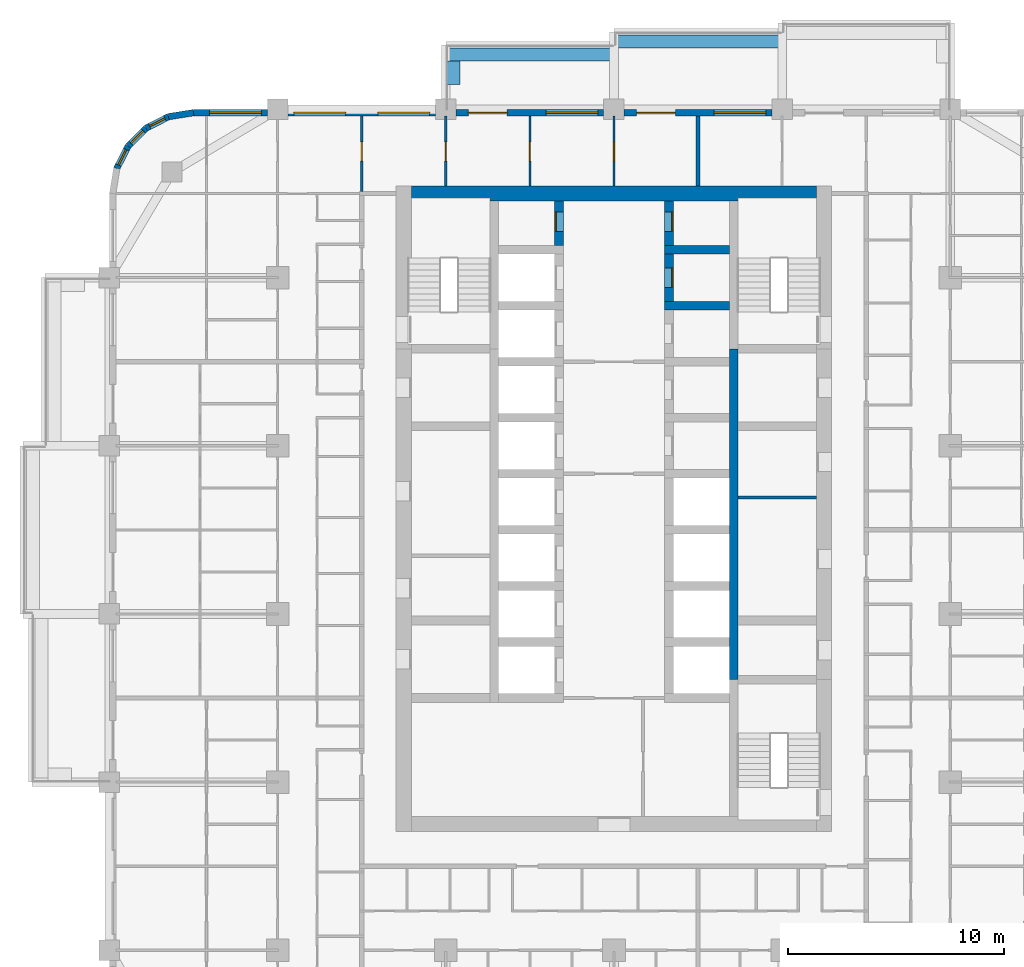
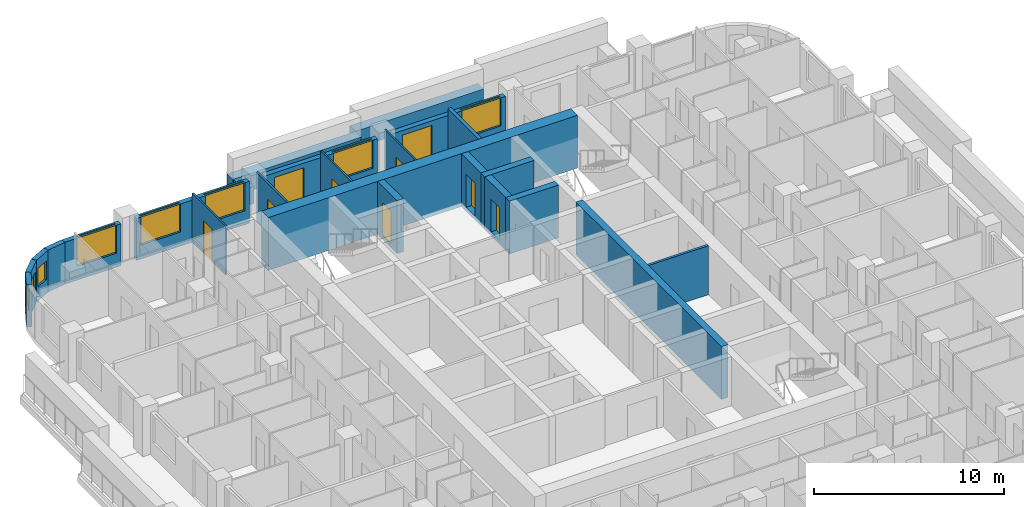
# One storey, part 11 of 17: 24 walls, 9 doors, 8 windows, 17 openings.
"""IFC4 building model written with IfcOpenShell, lengths in metres."""

from ifc_helpers import new_model, si_unit, direction, frame, frame_2d, origin, place, context, subcontext, project, spatial, rectangle, extrude, material, layer, layer_set, type_object, element, fill, save


model = new_model("IFC4")

# Units and contexts
model_context = context("Model", 3, precision=1e-05, world=origin(), true_north=direction((0.0, 1.0)))
body_context = subcontext(model_context, "Body", "Model", "MODEL_VIEW")
ifc_project = project(units=[si_unit("LENGTHUNIT", "METRE"), si_unit("AREAUNIT", "SQUARE_METRE"), si_unit("VOLUMEUNIT", "CUBIC_METRE"), si_unit("PLANEANGLEUNIT", "RADIAN"), si_unit("MASSUNIT", "GRAM", prefix="KILO")], contexts=[model_context])

# Site, building, storey
site_placement = place(None, origin())
site = spatial("IfcSite", under=ifc_project, at=site_placement, CompositionType="ELEMENT")
building_placement = place(site_placement, origin())
building = spatial("IfcBuilding", under=site, at=building_placement, Name="Ludao Terraces", CompositionType="ELEMENT")
storey_placement = place(building_placement, frame((0.0, 0.0, 88.60009765625)))
storey = spatial("IfcBuildingStorey", under=building, at=storey_placement, Name="L24", CompositionType="ELEMENT", Elevation=88.60009765625)

# Walls
ifc_material_1 = material(Name="Concrete C70", Category="concrete")
ifc_layer_1 = layer(ifc_material_1, 0.699951171875)
ifc_layer_set_1 = layer_set([ifc_layer_1], Name="Core wall 700 C70")
wall_type_1 = type_object("IfcWallType", Name="Core wall 700 C70", PredefinedType="SOLIDWALL", material=ifc_layer_set_1)
wall_1_placement = place(storey_placement, frame((75.60009765625, 84.5, -0.25), z_axis=(0.0, 0.0, 1.0), x_axis=(1.0, 0.0, 0.0)))
element("IfcWall", 1, at=wall_1_placement, inside=storey, type_object=wall_type_1, Name="Core wall L24 outer-N", PredefinedType="SOLIDWALL", context=body_context, shape_type="SweptSolid", body=[
    extrude(rectangle(XDim=18.7998046875, YDim=0.699951171875, at=frame_2d((9.39990234375, 0.0))), origin(), (0.0, 0.0, 1.0), 3.39990234375),
])
ifc_material_2 = material(Name="Concrete C40", Category="concrete")
ifc_layer_2 = layer(ifc_material_2, 0.60009765625)
ifc_layer_set_2 = layer_set([ifc_layer_2], Name="ENV Planter trough 600")
wall_type_2 = type_object("IfcWallType", Name="ENV Planter trough 600", PredefinedType="USERDEFINED", material=ifc_layer_set_2)
wall_2_placement = place(storey_placement, frame((77.199951171875, 90.949951171875, 0.0), z_axis=(0.0, 0.0, 1.0), x_axis=(1.0, 0.0, 0.0)))
element("IfcWall", 2, at=wall_2_placement, inside=storey, type_object=wall_type_2, Name="PL-L24-N2", ObjectType="PLANTER", PredefinedType="USERDEFINED", context=body_context, shape_type="SweptSolid", body=[
    extrude(rectangle(XDim=7.800048828125, YDim=0.60009765625, at=frame_2d((3.89990234375, 0.0))), origin(), (0.0, 0.0, 1.0), 1.099853515625),
])
wall_3_placement = place(storey_placement, frame((77.550048828125, 90.64990234375, 0.0), z_axis=(0.0, 0.0, 1.0), x_axis=(0.0, -1.0, 0.0)))
element("IfcWall", 3, at=wall_3_placement, inside=storey, type_object=wall_type_2, Name="PL-L24-N2-SA", ObjectType="PLANTER", PredefinedType="USERDEFINED", context=body_context, shape_type="SweptSolid", body=[
    extrude(rectangle(XDim=1.099853515625, YDim=0.60009765625, at=frame_2d((0.5498046875, 0.0))), origin(), (0.0, 0.0, 1.0), 1.099853515625),
])
wall_4_placement = place(storey_placement, frame((85.0, 91.550048828125, 0.0), z_axis=(0.0, 0.0, 1.0), x_axis=(1.0, 0.0, 0.0)))
element("IfcWall", 4, at=wall_4_placement, inside=storey, type_object=wall_type_2, Name="PL-L24-N3", ObjectType="PLANTER", PredefinedType="USERDEFINED", context=body_context, shape_type="SweptSolid", body=[
    extrude(rectangle(XDim=7.800048828125, YDim=0.60009765625, at=frame_2d((3.89990234375, 0.0))), origin(), (0.0, 0.0, 1.0), 1.099853515625),
])

# Wall, opening, window
ifc_material_3 = material(Name="Granite cladding", Category="masonry")
ifc_layer_3 = layer(ifc_material_3, 0.0400390625, Category="stone")
ifc_material_4 = material(Name="Mineral wool")
ifc_layer_4 = layer(ifc_material_4, 0.06005859375)
ifc_layer_5 = layer(ifc_material_2, 0.199951171875, Category="concrete")
ifc_layer_set_3 = layer_set([ifc_layer_3, ifc_layer_4, ifc_layer_5], Name="ENV Stone-clad wall 300")
wall_type_3 = type_object("IfcWallType", Name="ENV Stone-clad wall 300", PredefinedType="SOLIDWALL", material=ifc_layer_set_3)
wall_5_placement = place(storey_placement, frame((65.5, 88.25, 0.0), z_axis=(0.0, 0.0, 1.0), x_axis=(1.0, 0.0, 0.0)))
wall_5 = element("IfcWall", 5, at=wall_5_placement, inside=storey, type_object=wall_type_3, Name="EW-L24-N1", PredefinedType="SOLIDWALL", context=body_context, shape_type="SweptSolid", body=[
    extrude(rectangle(XDim=3.425048828125, YDim=0.300048828125, at=frame_2d((1.71240234375, 0.0))), origin(), (0.0, 0.0, 1.0), 2.699951171875),
])
opening_1_placement = place(wall_5_placement, frame((0.75, 0.0, 0.89990234375)))
opening_1 = element("IfcOpeningElement", 6, at=opening_1_placement, cuts=wall_5, Name="Opening W1", PredefinedType="OPENING", context=body_context, shape_type="SweptSolid", body=[
    extrude(rectangle(XDim=2.39990234375, YDim=1.800048828125, at=frame_2d((1.199951171875, 0.89990234375))), frame((0.0, 0.16015625, 0.0), z_axis=(0.0, -1.0, 0.0), x_axis=(1.0, 0.0, 0.0)), (0.0, 0.0, 1.0), 0.320068359375),
])
ifc_material_5 = material(Name="Clear glass in aluminium frame", Category="aluminium")
ifc_layer_6 = layer(ifc_material_5, 0.06005859375)
ifc_layer_set_4 = layer_set([ifc_layer_6], Name="ENV Window W1 2400x1800")
window_type_1 = type_object("IfcWindowType", Name="ENV Window W1 2400x1800", PartitioningType="DOUBLE_PANEL_VERTICAL", PredefinedType="WINDOW", material=ifc_layer_set_4)
window_1_placement = place(opening_1_placement, origin())
window_1 = element("IfcWindow", 7, at=window_1_placement, inside=storey, type_object=window_type_1, Name="W-L24-N1-1", OverallHeight=1.800048828125, OverallWidth=2.39990234375, PartitioningType="DOUBLE_PANEL_VERTICAL", PredefinedType="WINDOW", context=body_context, shape_type="SweptSolid", body=[
    extrude(rectangle(XDim=2.39990234375, YDim=1.800048828125, at=frame_2d((1.199951171875, 0.89990234375))), frame((0.0, 0.030029296875, 0.0), z_axis=(0.0, -1.0, 0.0), x_axis=(1.0, 0.0, 0.0)), (0.0, 0.0, 1.0), 0.06005859375),
])
fill(opening_1, window_1)

# Wall, openings, windows
wall_6_placement = place(storey_placement, frame((69.875, 88.25, 0.0), z_axis=(0.0, 0.0, 1.0), x_axis=(1.0, 0.0, 0.0)))
wall_6 = element("IfcWall", 8, at=wall_6_placement, inside=storey, type_object=wall_type_3, Name="EW-L24-N2", PredefinedType="SOLIDWALL", context=body_context, shape_type="SweptSolid", body=[
    extrude(rectangle(XDim=6.85009765625, YDim=0.300048828125, at=frame_2d((3.425048828125, 0.0))), origin(), (0.0, 0.0, 1.0), 2.699951171875),
])
opening_2_placement = place(wall_6_placement, frame((0.27490234375, 0.0, 0.89990234375)))
opening_2 = element("IfcOpeningElement", 9, at=opening_2_placement, cuts=wall_6, Name="Opening W1", PredefinedType="OPENING", context=body_context, shape_type="SweptSolid", body=[
    extrude(rectangle(XDim=2.39990234375, YDim=1.800048828125, at=frame_2d((1.199951171875, 0.89990234375))), frame((0.0, 0.16015625, 0.0), z_axis=(0.0, -1.0, 0.0), x_axis=(1.0, 0.0, 0.0)), (0.0, 0.0, 1.0), 0.320068359375),
])
opening_3_placement = place(wall_6_placement, frame((4.175048828125, 0.0, 0.89990234375)))
opening_3 = element("IfcOpeningElement", 10, at=opening_3_placement, cuts=wall_6, Name="Opening W1", PredefinedType="OPENING", context=body_context, shape_type="SweptSolid", body=[
    extrude(rectangle(XDim=2.39990234375, YDim=1.800048828125, at=frame_2d((1.199951171875, 0.89990234375))), frame((0.0, 0.16015625, 0.0), z_axis=(0.0, -1.0, 0.0), x_axis=(1.0, 0.0, 0.0)), (0.0, 0.0, 1.0), 0.320068359375),
])
window_2_placement = place(opening_2_placement, origin())
window_2 = element("IfcWindow", 11, at=window_2_placement, inside=storey, type_object=window_type_1, Name="W-L24-N2-1", OverallHeight=1.800048828125, OverallWidth=2.39990234375, PartitioningType="DOUBLE_PANEL_VERTICAL", PredefinedType="WINDOW", context=body_context, shape_type="SweptSolid", body=[
    extrude(rectangle(XDim=2.39990234375, YDim=1.800048828125, at=frame_2d((1.199951171875, 0.89990234375))), frame((0.0, 0.030029296875, 0.0), z_axis=(0.0, -1.0, 0.0), x_axis=(1.0, 0.0, 0.0)), (0.0, 0.0, 1.0), 0.06005859375),
])
fill(opening_2, window_2)
window_3_placement = place(opening_3_placement, origin())
window_3 = element("IfcWindow", 12, at=window_3_placement, inside=storey, type_object=window_type_1, Name="W-L24-N2-2", OverallHeight=1.800048828125, OverallWidth=2.39990234375, PartitioningType="DOUBLE_PANEL_VERTICAL", PredefinedType="WINDOW", context=body_context, shape_type="SweptSolid", body=[
    extrude(rectangle(XDim=2.39990234375, YDim=1.800048828125, at=frame_2d((1.199951171875, 0.89990234375))), frame((0.0, 0.030029296875, 0.0), z_axis=(0.0, -1.0, 0.0), x_axis=(1.0, 0.0, 0.0)), (0.0, 0.0, 1.0), 0.06005859375),
])
fill(opening_3, window_3)

# Wall, openings, door, window
wall_7_placement = place(storey_placement, frame((77.675048828125, 88.25, 0.0), z_axis=(0.0, 0.0, 1.0), x_axis=(1.0, 0.0, 0.0)))
wall_7 = element("IfcWall", 13, at=wall_7_placement, inside=storey, type_object=wall_type_3, Name="EW-L24-N3", PredefinedType="SOLIDWALL", context=body_context, shape_type="SweptSolid", body=[
    extrude(rectangle(XDim=6.849853515625, YDim=0.300048828125, at=frame_2d((3.4248046875, 0.0))), origin(), (0.0, 0.0, 1.0), 2.699951171875),
])
opening_4_placement = place(wall_7_placement, frame((0.574951171875, 0.0, 0.0)))
opening_4 = element("IfcOpeningElement", 14, at=opening_4_placement, cuts=wall_7, Name="Opening BD", PredefinedType="OPENING", context=body_context, shape_type="SweptSolid", body=[
    extrude(rectangle(XDim=1.800048828125, YDim=2.39990234375, at=frame_2d((0.89990234375, 1.199951171875))), frame((0.0, 0.16015625, 0.0), z_axis=(0.0, -1.0, 0.0), x_axis=(1.0, 0.0, 0.0)), (0.0, 0.0, 1.0), 0.320068359375),
])
opening_5_placement = place(wall_7_placement, frame((4.175048828125, 0.0, 0.89990234375)))
opening_5 = element("IfcOpeningElement", 15, at=opening_5_placement, cuts=wall_7, Name="Opening W1", PredefinedType="OPENING", context=body_context, shape_type="SweptSolid", body=[
    extrude(rectangle(XDim=2.39990234375, YDim=1.800048828125, at=frame_2d((1.199951171875, 0.89990234375))), frame((0.0, 0.16015625, 0.0), z_axis=(0.0, -1.0, 0.0), x_axis=(1.0, 0.0, 0.0)), (0.0, 0.0, 1.0), 0.320068359375),
])
ifc_material_6 = material(Name="Aluminium glazed door", Category="aluminium")
ifc_layer_7 = layer(ifc_material_6, 0.06005859375)
ifc_layer_set_5 = layer_set([ifc_layer_7], Name="ENV Balcony door BD 1800x2400")
door_type_1 = type_object("IfcDoorType", Name="ENV Balcony door BD 1800x2400", OperationType="DOUBLE_DOOR_SINGLE_SWING", PredefinedType="DOOR", material=ifc_layer_set_5)
door_1_placement = place(opening_4_placement, origin())
door_1 = element("IfcDoor", 16, at=door_1_placement, inside=storey, type_object=door_type_1, Name="BD-L24-N3-1", OperationType="DOUBLE_DOOR_SINGLE_SWING", OverallHeight=2.39990234375, OverallWidth=1.800048828125, PredefinedType="DOOR", context=body_context, shape_type="SweptSolid", body=[
    extrude(rectangle(XDim=1.800048828125, YDim=2.39990234375, at=frame_2d((0.89990234375, 1.199951171875))), frame((0.0, 0.02490234375, 0.0), z_axis=(0.0, -1.0, 0.0), x_axis=(1.0, 0.0, 0.0)), (0.0, 0.0, 1.0), 0.050048828125),
])
fill(opening_4, door_1)
window_4_placement = place(opening_5_placement, origin())
window_4 = element("IfcWindow", 17, at=window_4_placement, inside=storey, type_object=window_type_1, Name="W-L24-N3-2", OverallHeight=1.800048828125, OverallWidth=2.39990234375, PartitioningType="DOUBLE_PANEL_VERTICAL", PredefinedType="WINDOW", context=body_context, shape_type="SweptSolid", body=[
    extrude(rectangle(XDim=2.39990234375, YDim=1.800048828125, at=frame_2d((1.199951171875, 0.89990234375))), frame((0.0, 0.030029296875, 0.0), z_axis=(0.0, -1.0, 0.0), x_axis=(1.0, 0.0, 0.0)), (0.0, 0.0, 1.0), 0.06005859375),
])
fill(opening_5, window_4)

wall_8_placement = place(storey_placement, frame((85.47509765625, 88.25, 0.0), z_axis=(0.0, 0.0, 1.0), x_axis=(1.0, 0.0, 0.0)))
wall_8 = element("IfcWall", 18, at=wall_8_placement, inside=storey, type_object=wall_type_3, Name="EW-L24-N4", PredefinedType="SOLIDWALL", context=body_context, shape_type="SweptSolid", body=[
    extrude(rectangle(XDim=6.849853515625, YDim=0.300048828125, at=frame_2d((3.4248046875, 0.0))), origin(), (0.0, 0.0, 1.0), 2.699951171875),
])
opening_6_placement = place(wall_8_placement, frame((0.574951171875, 0.0, 0.0)))
opening_6 = element("IfcOpeningElement", 19, at=opening_6_placement, cuts=wall_8, Name="Opening BD", PredefinedType="OPENING", context=body_context, shape_type="SweptSolid", body=[
    extrude(rectangle(XDim=1.800048828125, YDim=2.39990234375, at=frame_2d((0.89990234375, 1.199951171875))), frame((0.0, 0.16015625, 0.0), z_axis=(0.0, -1.0, 0.0), x_axis=(1.0, 0.0, 0.0)), (0.0, 0.0, 1.0), 0.320068359375),
])
opening_7_placement = place(wall_8_placement, frame((4.175048828125, 0.0, 0.89990234375)))
opening_7 = element("IfcOpeningElement", 20, at=opening_7_placement, cuts=wall_8, Name="Opening W1", PredefinedType="OPENING", context=body_context, shape_type="SweptSolid", body=[
    extrude(rectangle(XDim=2.39990234375, YDim=1.800048828125, at=frame_2d((1.199951171875, 0.89990234375))), frame((0.0, 0.16015625, 0.0), z_axis=(0.0, -1.0, 0.0), x_axis=(1.0, 0.0, 0.0)), (0.0, 0.0, 1.0), 0.320068359375),
])
door_2_placement = place(opening_6_placement, origin())
door_2 = element("IfcDoor", 21, at=door_2_placement, inside=storey, type_object=door_type_1, Name="BD-L24-N4-1", OperationType="DOUBLE_DOOR_SINGLE_SWING", OverallHeight=2.39990234375, OverallWidth=1.800048828125, PredefinedType="DOOR", context=body_context, shape_type="SweptSolid", body=[
    extrude(rectangle(XDim=1.800048828125, YDim=2.39990234375, at=frame_2d((0.89990234375, 1.199951171875))), frame((0.0, 0.02490234375, 0.0), z_axis=(0.0, -1.0, 0.0), x_axis=(1.0, 0.0, 0.0)), (0.0, 0.0, 1.0), 0.050048828125),
])
fill(opening_6, door_2)
window_5_placement = place(opening_7_placement, origin())
window_5 = element("IfcWindow", 22, at=window_5_placement, inside=storey, type_object=window_type_1, Name="W-L24-N4-2", OverallHeight=1.800048828125, OverallWidth=2.39990234375, PartitioningType="DOUBLE_PANEL_VERTICAL", PredefinedType="WINDOW", context=body_context, shape_type="SweptSolid", body=[
    extrude(rectangle(XDim=2.39990234375, YDim=1.800048828125, at=frame_2d((1.199951171875, 0.89990234375))), frame((0.0, 0.030029296875, 0.0), z_axis=(0.0, -1.0, 0.0), x_axis=(1.0, 0.0, 0.0)), (0.0, 0.0, 1.0), 0.06005859375),
])
fill(opening_7, window_5)

# Wall
wall_9_placement = place(storey_placement, frame((65.5, 88.25, 0.0), z_axis=(0.0, 0.0, 1.0), x_axis=(-0.987678452879, -0.156496880861, 0.0)))
element("IfcWall", 23, at=wall_9_placement, inside=storey, type_object=wall_type_3, Name="EW-L24-NW1", PredefinedType="SOLIDWALL", context=body_context, shape_type="SweptSolid", body=[
    extrude(rectangle(XDim=1.173095703125, YDim=0.300048828125, at=frame_2d((0.58642578125, 0.0))), origin(), (0.0, 0.0, 1.0), 2.699951171875),
])

# Wall, opening, window
wall_10_placement = place(storey_placement, frame((64.34130859375, 88.06640625, 0.0), z_axis=(0.0, 0.0, 1.0), x_axis=(-0.890988677504, -0.454025524128, 0.0)))
wall_10 = element("IfcWall", 24, at=wall_10_placement, inside=storey, type_object=wall_type_3, Name="EW-L24-NW2", PredefinedType="SOLIDWALL", context=body_context, shape_type="SweptSolid", body=[
    extrude(rectangle(XDim=1.17333984375, YDim=0.300048828125, at=frame_2d((0.586669921875, 0.0))), origin(), (0.0, 0.0, 1.0), 2.699951171875),
])
opening_8_placement = place(wall_10_placement, frame((0.1865234375, 0.0, 0.89990234375)))
opening_8 = element("IfcOpeningElement", 25, at=opening_8_placement, cuts=wall_10, Name="Opening W3", PredefinedType="OPENING", context=body_context, shape_type="SweptSolid", body=[
    extrude(rectangle(XDim=0.800048828125, YDim=1.199951171875, at=frame_2d((0.39990234375, 0.60009765625))), frame((0.0, 0.16015625, 0.0), z_axis=(0.0, -1.0, 0.0), x_axis=(1.0, 0.0, 0.0)), (0.0, 0.0, 1.0), 0.320068359375),
])
ifc_layer_8 = layer(ifc_material_5, 0.06005859375)
ifc_layer_set_6 = layer_set([ifc_layer_8], Name="ENV Window W3 800x1200")
window_type_2 = type_object("IfcWindowType", Name="ENV Window W3 800x1200", PartitioningType="SINGLE_PANEL", PredefinedType="WINDOW", material=ifc_layer_set_6)
window_6_placement = place(opening_8_placement, origin())
window_6 = element("IfcWindow", 26, at=window_6_placement, inside=storey, type_object=window_type_2, Name="W-L24-NW2", OverallHeight=1.199951171875, OverallWidth=0.800048828125, PartitioningType="SINGLE_PANEL", PredefinedType="WINDOW", context=body_context, shape_type="SweptSolid", body=[
    extrude(rectangle(XDim=0.800048828125, YDim=1.199951171875, at=frame_2d((0.39990234375, 0.60009765625))), frame((0.0, 0.030029296875, 0.0), z_axis=(0.0, -1.0, 0.0), x_axis=(1.0, 0.0, 0.0)), (0.0, 0.0, 1.0), 0.06005859375),
])
fill(opening_8, window_6)

wall_11_placement = place(storey_placement, frame((63.2958984375, 87.53369140625, 0.0), z_axis=(0.0, 0.0, 1.0), x_axis=(-0.707106781187, -0.707106781187, 0.0)))
wall_11 = element("IfcWall", 27, at=wall_11_placement, inside=storey, type_object=wall_type_3, Name="EW-L24-NW3", PredefinedType="SOLIDWALL", context=body_context, shape_type="SweptSolid", body=[
    extrude(rectangle(XDim=1.173095703125, YDim=0.300048828125, at=frame_2d((0.58642578125, 0.0))), origin(), (0.0, 0.0, 1.0), 2.699951171875),
])
opening_9_placement = place(wall_11_placement, frame((0.1865234375, 0.0, 0.89990234375)))
opening_9 = element("IfcOpeningElement", 28, at=opening_9_placement, cuts=wall_11, Name="Opening W3", PredefinedType="OPENING", context=body_context, shape_type="SweptSolid", body=[
    extrude(rectangle(XDim=0.800048828125, YDim=1.199951171875, at=frame_2d((0.39990234375, 0.60009765625))), frame((0.0, 0.16015625, 0.0), z_axis=(0.0, -1.0, 0.0), x_axis=(1.0, 0.0, 0.0)), (0.0, 0.0, 1.0), 0.320068359375),
])
window_7_placement = place(opening_9_placement, origin())
window_7 = element("IfcWindow", 29, at=window_7_placement, inside=storey, type_object=window_type_2, Name="W-L24-NW3", OverallHeight=1.199951171875, OverallWidth=0.800048828125, PartitioningType="SINGLE_PANEL", PredefinedType="WINDOW", context=body_context, shape_type="SweptSolid", body=[
    extrude(rectangle(XDim=0.800048828125, YDim=1.199951171875, at=frame_2d((0.39990234375, 0.60009765625))), frame((0.0, 0.030029296875, 0.0), z_axis=(0.0, -1.0, 0.0), x_axis=(1.0, 0.0, 0.0)), (0.0, 0.0, 1.0), 0.06005859375),
])
fill(opening_9, window_7)

wall_12_placement = place(storey_placement, frame((62.46630859375, 86.7041015625, 0.0), z_axis=(0.0, 0.0, 1.0), x_axis=(-0.454025524128, -0.890988677504, 0.0)))
wall_12 = element("IfcWall", 30, at=wall_12_placement, inside=storey, type_object=wall_type_3, Name="EW-L24-NW4", PredefinedType="SOLIDWALL", context=body_context, shape_type="SweptSolid", body=[
    extrude(rectangle(XDim=1.17333984375, YDim=0.300048828125, at=frame_2d((0.586669921875, 0.0))), origin(), (0.0, 0.0, 1.0), 2.699951171875),
])
opening_10_placement = place(wall_12_placement, frame((0.1865234375, 0.0, 0.89990234375)))
opening_10 = element("IfcOpeningElement", 31, at=opening_10_placement, cuts=wall_12, Name="Opening W3", PredefinedType="OPENING", context=body_context, shape_type="SweptSolid", body=[
    extrude(rectangle(XDim=0.800048828125, YDim=1.199951171875, at=frame_2d((0.39990234375, 0.60009765625))), frame((0.0, 0.16015625, 0.0), z_axis=(0.0, -1.0, 0.0), x_axis=(1.0, 0.0, 0.0)), (0.0, 0.0, 1.0), 0.320068359375),
])
window_8_placement = place(opening_10_placement, origin())
window_8 = element("IfcWindow", 32, at=window_8_placement, inside=storey, type_object=window_type_2, Name="W-L24-NW4", OverallHeight=1.199951171875, OverallWidth=0.800048828125, PartitioningType="SINGLE_PANEL", PredefinedType="WINDOW", context=body_context, shape_type="SweptSolid", body=[
    extrude(rectangle(XDim=0.800048828125, YDim=1.199951171875, at=frame_2d((0.39990234375, 0.60009765625))), frame((0.0, 0.030029296875, 0.0), z_axis=(0.0, -1.0, 0.0), x_axis=(1.0, 0.0, 0.0)), (0.0, 0.0, 1.0), 0.06005859375),
])
fill(opening_10, window_8)

# Wall
ifc_material_7 = material(Name="Fire-rated gypsum plasterboard", Category="gypsum")
ifc_layer_9 = layer(ifc_material_7, 0.012451171875, Category="gypsum")
ifc_layer_10 = layer(ifc_material_4, 0.10009765625, Name="insulation")
ifc_material_8 = material(Name="Steel Q235", Category="steel")
ifc_layer_11 = layer(ifc_material_8, 0.02490234375, Name="stud")
ifc_layer_12 = layer(ifc_material_7, 0.012451171875, Category="gypsum")
ifc_layer_set_7 = layer_set([ifc_layer_9, ifc_layer_10, ifc_layer_11, ifc_layer_12], Name="INT Core partition 150")
wall_type_4 = type_object("IfcWallType", Name="INT Core partition 150", PredefinedType="PARTITIONING", material=ifc_layer_set_7)
wall_13_placement = place(storey_placement, frame((90.75, 70.39990234375, 0.0), z_axis=(0.0, 0.0, 1.0), x_axis=(1.0, 0.0, 0.0)))
element("IfcWall", 33, at=wall_13_placement, inside=storey, type_object=wall_type_4, Name="PW-L24-PW048", PredefinedType="PARTITIONING", context=body_context, shape_type="SweptSolid", body=[
    extrude(rectangle(XDim=3.650146484375, YDim=0.14990234375, at=frame_2d((1.8251953125, 0.0))), origin(), (0.0, 0.0, 1.0), 3.14990234375),
])

# Wall, opening, door
ifc_material_9 = material(Name="Gypsum plasterboard", Category="gypsum")
ifc_layer_13 = layer(ifc_material_9, 0.012451171875, Category="gypsum")
ifc_layer_14 = layer(ifc_material_4, 0.06005859375, Name="insulation")
ifc_layer_15 = layer(ifc_material_8, 0.014892578125, Name="stud")
ifc_layer_16 = layer(ifc_material_9, 0.012451171875, Category="gypsum")
ifc_layer_set_8 = layer_set([ifc_layer_13, ifc_layer_14, ifc_layer_15, ifc_layer_16], Name="INT Partition 100")
wall_type_5 = type_object("IfcWallType", Name="INT Partition 100", PredefinedType="PARTITIONING", material=ifc_layer_set_8)
wall_14_placement = place(storey_placement, frame((73.300048828125, 84.60009765625, 0.0), z_axis=(0.0, 0.0, 1.0), x_axis=(0.0, 1.0, 0.0)))
wall_14 = element("IfcWall", 34, at=wall_14_placement, inside=storey, type_object=wall_type_5, Name="PW-L24-PW089", PredefinedType="PARTITIONING", context=body_context, shape_type="SweptSolid", body=[
    extrude(rectangle(XDim=3.5, YDim=0.10009765625, at=frame_2d((1.75, 0.0))), origin(), (0.0, 0.0, 1.0), 3.14990234375),
])
opening_11_placement = place(wall_14_placement, frame((1.39990234375, 0.0, 0.0)))
opening_11 = element("IfcOpeningElement", 35, at=opening_11_placement, cuts=wall_14, Name="Opening R07-157", PredefinedType="OPENING", context=body_context, shape_type="SweptSolid", body=[
    extrude(rectangle(XDim=0.89990234375, YDim=2.10009765625, at=frame_2d((0.449951171875, 1.050048828125))), frame((0.0, 0.06005859375, 0.0), z_axis=(0.0, -1.0, 0.0), x_axis=(1.0, 0.0, 0.0)), (0.0, 0.0, 1.0), 0.1201171875),
])
ifc_material_10 = material(Name="Timber door leaf", Category="wood")
door_type_2 = type_object("IfcDoorType", Name="INT Room door 900", OperationType="SINGLE_SWING_LEFT", PredefinedType="DOOR", material=ifc_material_10)
door_3_placement = place(opening_11_placement, origin())
door_3 = element("IfcDoor", 36, at=door_3_placement, inside=storey, type_object=door_type_2, Name="DOOR 157", OperationType="SINGLE_SWING_LEFT", OverallHeight=2.10009765625, OverallWidth=0.89990234375, PredefinedType="DOOR", context=body_context, shape_type="SweptSolid", body=[
    extrude(rectangle(XDim=0.89990234375, YDim=2.10009765625, at=frame_2d((0.449951171875, 1.050048828125))), frame((0.0, 0.02490234375, 0.0), z_axis=(0.0, -1.0, 0.0), x_axis=(1.0, 0.0, 0.0)), (0.0, 0.0, 1.0), 0.050048828125),
])
fill(opening_11, door_3)

wall_15_placement = place(storey_placement, frame((77.199951171875, 84.85009765625, 0.0), z_axis=(0.0, 0.0, 1.0), x_axis=(0.0, 1.0, 0.0)))
wall_15 = element("IfcWall", 37, at=wall_15_placement, inside=storey, type_object=wall_type_5, Name="PW-L24-PW092", PredefinedType="PARTITIONING", context=body_context, shape_type="SweptSolid", body=[
    extrude(rectangle(XDim=3.25, YDim=0.10009765625, at=frame_2d((1.625, 0.0))), origin(), (0.0, 0.0, 1.0), 3.14990234375),
])
opening_12_placement = place(wall_15_placement, frame((1.14990234375, 0.0, 0.0)))
opening_12 = element("IfcOpeningElement", 38, at=opening_12_placement, cuts=wall_15, Name="Opening R07-158", PredefinedType="OPENING", context=body_context, shape_type="SweptSolid", body=[
    extrude(rectangle(XDim=0.89990234375, YDim=2.10009765625, at=frame_2d((0.449951171875, 1.050048828125))), frame((0.0, 0.06005859375, 0.0), z_axis=(0.0, -1.0, 0.0), x_axis=(1.0, 0.0, 0.0)), (0.0, 0.0, 1.0), 0.1201171875),
])
door_4_placement = place(opening_12_placement, origin())
door_4 = element("IfcDoor", 39, at=door_4_placement, inside=storey, type_object=door_type_2, Name="DOOR 158", OperationType="SINGLE_SWING_RIGHT", OverallHeight=2.10009765625, OverallWidth=0.89990234375, PredefinedType="DOOR", context=body_context, shape_type="SweptSolid", body=[
    extrude(rectangle(XDim=0.89990234375, YDim=2.10009765625, at=frame_2d((0.449951171875, 1.050048828125))), frame((0.0, 0.02490234375, 0.0), z_axis=(0.0, -1.0, 0.0), x_axis=(1.0, 0.0, 0.0)), (0.0, 0.0, 1.0), 0.050048828125),
])
fill(opening_12, door_4)

wall_16_placement = place(storey_placement, frame((81.10009765625, 84.85009765625, 0.0), z_axis=(0.0, 0.0, 1.0), x_axis=(0.0, 1.0, 0.0)))
wall_16 = element("IfcWall", 40, at=wall_16_placement, inside=storey, type_object=wall_type_5, Name="PW-L24-PW098", PredefinedType="PARTITIONING", context=body_context, shape_type="SweptSolid", body=[
    extrude(rectangle(XDim=3.25, YDim=0.10009765625, at=frame_2d((1.625, 0.0))), origin(), (0.0, 0.0, 1.0), 3.14990234375),
])
opening_13_placement = place(wall_16_placement, frame((1.14990234375, 0.0, 0.0)))
opening_13 = element("IfcOpeningElement", 41, at=opening_13_placement, cuts=wall_16, Name="Opening R07-159", PredefinedType="OPENING", context=body_context, shape_type="SweptSolid", body=[
    extrude(rectangle(XDim=0.89990234375, YDim=2.10009765625, at=frame_2d((0.449951171875, 1.050048828125))), frame((0.0, 0.06005859375, 0.0), z_axis=(0.0, -1.0, 0.0), x_axis=(1.0, 0.0, 0.0)), (0.0, 0.0, 1.0), 0.1201171875),
])
door_5_placement = place(opening_13_placement, origin())
door_5 = element("IfcDoor", 42, at=door_5_placement, inside=storey, type_object=door_type_2, Name="DOOR 159", OperationType="SINGLE_SWING_LEFT", OverallHeight=2.10009765625, OverallWidth=0.89990234375, PredefinedType="DOOR", context=body_context, shape_type="SweptSolid", body=[
    extrude(rectangle(XDim=0.89990234375, YDim=2.10009765625, at=frame_2d((0.449951171875, 1.050048828125))), frame((0.0, 0.02490234375, 0.0), z_axis=(0.0, -1.0, 0.0), x_axis=(1.0, 0.0, 0.0)), (0.0, 0.0, 1.0), 0.050048828125),
])
fill(opening_13, door_5)

wall_17_placement = place(storey_placement, frame((85.0, 84.85009765625, 0.0), z_axis=(0.0, 0.0, 1.0), x_axis=(0.0, 1.0, 0.0)))
wall_17 = element("IfcWall", 43, at=wall_17_placement, inside=storey, type_object=wall_type_5, Name="PW-L24-PW102", PredefinedType="PARTITIONING", context=body_context, shape_type="SweptSolid", body=[
    extrude(rectangle(XDim=3.25, YDim=0.10009765625, at=frame_2d((1.625, 0.0))), origin(), (0.0, 0.0, 1.0), 3.14990234375),
])
opening_14_placement = place(wall_17_placement, frame((1.14990234375, 0.0, 0.0)))
opening_14 = element("IfcOpeningElement", 44, at=opening_14_placement, cuts=wall_17, Name="Opening R07-160", PredefinedType="OPENING", context=body_context, shape_type="SweptSolid", body=[
    extrude(rectangle(XDim=0.89990234375, YDim=2.10009765625, at=frame_2d((0.449951171875, 1.050048828125))), frame((0.0, 0.06005859375, 0.0), z_axis=(0.0, -1.0, 0.0), x_axis=(1.0, 0.0, 0.0)), (0.0, 0.0, 1.0), 0.1201171875),
])
door_6_placement = place(opening_14_placement, origin())
door_6 = element("IfcDoor", 45, at=door_6_placement, inside=storey, type_object=door_type_2, Name="DOOR 160", OperationType="SINGLE_SWING_RIGHT", OverallHeight=2.10009765625, OverallWidth=0.89990234375, PredefinedType="DOOR", context=body_context, shape_type="SweptSolid", body=[
    extrude(rectangle(XDim=0.89990234375, YDim=2.10009765625, at=frame_2d((0.449951171875, 1.050048828125))), frame((0.0, 0.02490234375, 0.0), z_axis=(0.0, -1.0, 0.0), x_axis=(1.0, 0.0, 0.0)), (0.0, 0.0, 1.0), 0.050048828125),
])
fill(opening_14, door_6)

# Walls
ifc_material_11 = material(Name="Autoclaved aerated concrete block B06 A3.5", Category="concrete")
ifc_layer_17 = layer(ifc_material_11, 0.199951171875)
ifc_layer_set_9 = layer_set([ifc_layer_17], Name="INT Party wall 200")
wall_type_6 = type_object("IfcWallType", Name="INT Party wall 200", PredefinedType="PARTITIONING", material=ifc_layer_set_9)
wall_18_placement = place(storey_placement, frame((88.89990234375, 84.85009765625, 0.0), z_axis=(0.0, 0.0, 1.0), x_axis=(0.0, 1.0, 0.0)))
element("IfcWall", 46, at=wall_18_placement, inside=storey, type_object=wall_type_6, Name="PW-L24-PW107", PredefinedType="PARTITIONING", context=body_context, shape_type="SweptSolid", body=[
    extrude(rectangle(XDim=3.25, YDim=0.199951171875, at=frame_2d((1.625, 0.0))), origin(), (0.0, 0.0, 1.0), 3.14990234375),
])
ifc_material_12 = material(Name="Concrete C60", Category="concrete")
ifc_layer_18 = layer(ifc_material_12, 0.39990234375)
ifc_layer_set_10 = layer_set([ifc_layer_18], Name="Shaft wall 400 C60")
wall_type_7 = type_object("IfcWallType", Name="Shaft wall 400 C60", PredefinedType="SOLIDWALL", material=ifc_layer_set_10)
wall_19_placement = place(storey_placement, frame((90.550048828125, 61.949951171875, -0.25), z_axis=(0.0, 0.0, 1.0), x_axis=(0.0, 1.0, 0.0)))
element("IfcWall", 47, at=wall_19_placement, inside=storey, type_object=wall_type_7, Name="Core wall L24 back-E", PredefinedType="SOLIDWALL", context=body_context, shape_type="SweptSolid", body=[
    extrude(rectangle(XDim=15.35009765625, YDim=0.39990234375, at=frame_2d((7.675048828125, 0.0))), origin(), (0.0, 0.0, 1.0), 3.39990234375),
])

# Wall, opening, door
wall_20_placement = place(storey_placement, frame((82.449951171875, 82.10009765625, -0.25), z_axis=(0.0, 0.0, 1.0), x_axis=(0.0, 1.0, 0.0)))
wall_20 = element("IfcWall", 48, at=wall_20_placement, inside=storey, type_object=wall_type_7, Name="Core wall L24 front-W9", PredefinedType="SOLIDWALL", context=body_context, shape_type="SweptSolid", body=[
    extrude(rectangle(XDim=2.0498046875, YDim=0.39990234375, at=frame_2d((1.02490234375, 0.0))), origin(), (0.0, 0.0, 1.0), 3.39990234375),
])
opening_15_placement = place(wall_20_placement, frame((0.64990234375, 0.0, 0.25)))
opening_15 = element("IfcOpeningElement", 49, at=opening_15_placement, cuts=wall_20, Name="Opening R07-147", PredefinedType="OPENING", context=body_context, shape_type="SweptSolid", body=[
    extrude(rectangle(XDim=0.89990234375, YDim=2.10009765625, at=frame_2d((0.449951171875, 1.050048828125))), frame((0.0, 0.2099609375, 0.0), z_axis=(0.0, -1.0, 0.0), x_axis=(1.0, 0.0, 0.0)), (0.0, 0.0, 1.0), 0.419921875),
])
door_7_placement = place(opening_15_placement, origin())
door_7 = element("IfcDoor", 50, at=door_7_placement, inside=storey, type_object=door_type_2, Name="DOOR 147", OperationType="SINGLE_SWING_RIGHT", OverallHeight=2.10009765625, OverallWidth=0.89990234375, PredefinedType="DOOR", context=body_context, shape_type="SweptSolid", body=[
    extrude(rectangle(XDim=0.89990234375, YDim=2.10009765625, at=frame_2d((0.449951171875, 1.050048828125))), frame((0.0, 0.18505859375, 0.0), z_axis=(0.0, -1.0, 0.0), x_axis=(1.0, 0.0, 0.0)), (0.0, 0.0, 1.0), 0.050048828125),
])
fill(opening_15, door_7)

# Wall
wall_21_placement = place(storey_placement, frame((87.35009765625, 79.300048828125, -0.25), z_axis=(0.0, 0.0, 1.0), x_axis=(1.0, 0.0, 0.0)))
element("IfcWall", 51, at=wall_21_placement, inside=storey, type_object=wall_type_7, Name="Core wall L24 div-E8", PredefinedType="SOLIDWALL", context=body_context, shape_type="SweptSolid", body=[
    extrude(rectangle(XDim=3.0, YDim=0.39990234375, at=frame_2d((1.5, 0.0))), origin(), (0.0, 0.0, 1.0), 3.39990234375),
])

# Wall, opening, door
wall_22_placement = place(storey_placement, frame((87.550048828125, 79.5, -0.25), z_axis=(0.0, 0.0, 1.0), x_axis=(0.0, 1.0, 0.0)))
wall_22 = element("IfcWall", 52, at=wall_22_placement, inside=storey, type_object=wall_type_7, Name="Core wall L24 front-E8", PredefinedType="SOLIDWALL", context=body_context, shape_type="SweptSolid", body=[
    extrude(rectangle(XDim=2.199951171875, YDim=0.39990234375, at=frame_2d((1.10009765625, 0.0))), origin(), (0.0, 0.0, 1.0), 3.39990234375),
])
opening_16_placement = place(wall_22_placement, frame((0.64990234375, 0.0, 0.25)))
opening_16 = element("IfcOpeningElement", 53, at=opening_16_placement, cuts=wall_22, Name="Opening R07-140", PredefinedType="OPENING", context=body_context, shape_type="SweptSolid", body=[
    extrude(rectangle(XDim=0.89990234375, YDim=2.10009765625, at=frame_2d((0.449951171875, 1.050048828125))), frame((0.0, 0.2099609375, 0.0), z_axis=(0.0, -1.0, 0.0), x_axis=(1.0, 0.0, 0.0)), (0.0, 0.0, 1.0), 0.419921875),
])
door_8_placement = place(opening_16_placement, origin())
door_8 = element("IfcDoor", 54, at=door_8_placement, inside=storey, type_object=door_type_2, Name="DOOR 140", OperationType="SINGLE_SWING_LEFT", OverallHeight=2.10009765625, OverallWidth=0.89990234375, PredefinedType="DOOR", context=body_context, shape_type="SweptSolid", body=[
    extrude(rectangle(XDim=0.89990234375, YDim=2.10009765625, at=frame_2d((0.449951171875, 1.050048828125))), frame((0.0, -0.134765625, 0.0), z_axis=(0.0, -1.0, 0.0), x_axis=(1.0, 0.0, 0.0)), (0.0, 0.0, 1.0), 0.050048828125),
])
fill(opening_16, door_8)

# Wall
wall_23_placement = place(storey_placement, frame((87.35009765625, 81.89990234375, -0.25), z_axis=(0.0, 0.0, 1.0), x_axis=(1.0, 0.0, 0.0)))
element("IfcWall", 55, at=wall_23_placement, inside=storey, type_object=wall_type_7, Name="Core wall L24 div-E9", PredefinedType="SOLIDWALL", context=body_context, shape_type="SweptSolid", body=[
    extrude(rectangle(XDim=3.0, YDim=0.39990234375, at=frame_2d((1.5, 0.0))), origin(), (0.0, 0.0, 1.0), 3.39990234375),
])

# Wall, opening, door
wall_24_placement = place(storey_placement, frame((87.550048828125, 82.10009765625, -0.25), z_axis=(0.0, 0.0, 1.0), x_axis=(0.0, 1.0, 0.0)))
wall_24 = element("IfcWall", 56, at=wall_24_placement, inside=storey, type_object=wall_type_7, Name="Core wall L24 front-E9", PredefinedType="SOLIDWALL", context=body_context, shape_type="SweptSolid", body=[
    extrude(rectangle(XDim=2.0498046875, YDim=0.39990234375, at=frame_2d((1.02490234375, 0.0))), origin(), (0.0, 0.0, 1.0), 3.39990234375),
])
opening_17_placement = place(wall_24_placement, frame((0.64990234375, 0.0, 0.25)))
opening_17 = element("IfcOpeningElement", 57, at=opening_17_placement, cuts=wall_24, Name="Opening R07-148", PredefinedType="OPENING", context=body_context, shape_type="SweptSolid", body=[
    extrude(rectangle(XDim=0.89990234375, YDim=2.10009765625, at=frame_2d((0.449951171875, 1.050048828125))), frame((0.0, 0.2099609375, 0.0), z_axis=(0.0, -1.0, 0.0), x_axis=(1.0, 0.0, 0.0)), (0.0, 0.0, 1.0), 0.419921875),
])
door_9_placement = place(opening_17_placement, origin())
door_9 = element("IfcDoor", 58, at=door_9_placement, inside=storey, type_object=door_type_2, Name="DOOR 148", OperationType="SINGLE_SWING_LEFT", OverallHeight=2.10009765625, OverallWidth=0.89990234375, PredefinedType="DOOR", context=body_context, shape_type="SweptSolid", body=[
    extrude(rectangle(XDim=0.89990234375, YDim=2.10009765625, at=frame_2d((0.449951171875, 1.050048828125))), frame((0.0, -0.134765625, 0.0), z_axis=(0.0, -1.0, 0.0), x_axis=(1.0, 0.0, 0.0)), (0.0, 0.0, 1.0), 0.050048828125),
])
fill(opening_17, door_9)

save(model, "model.ifc")
